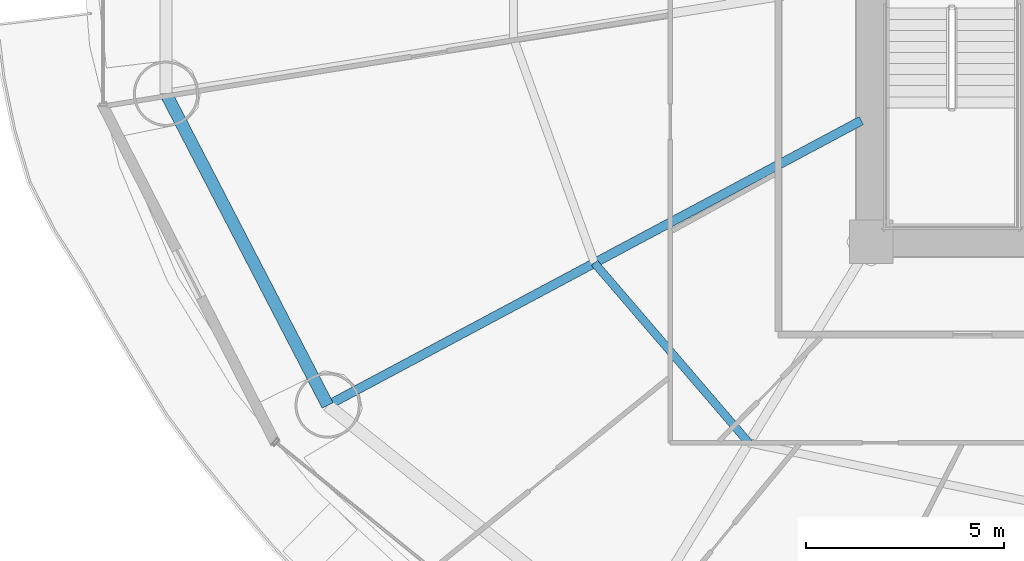
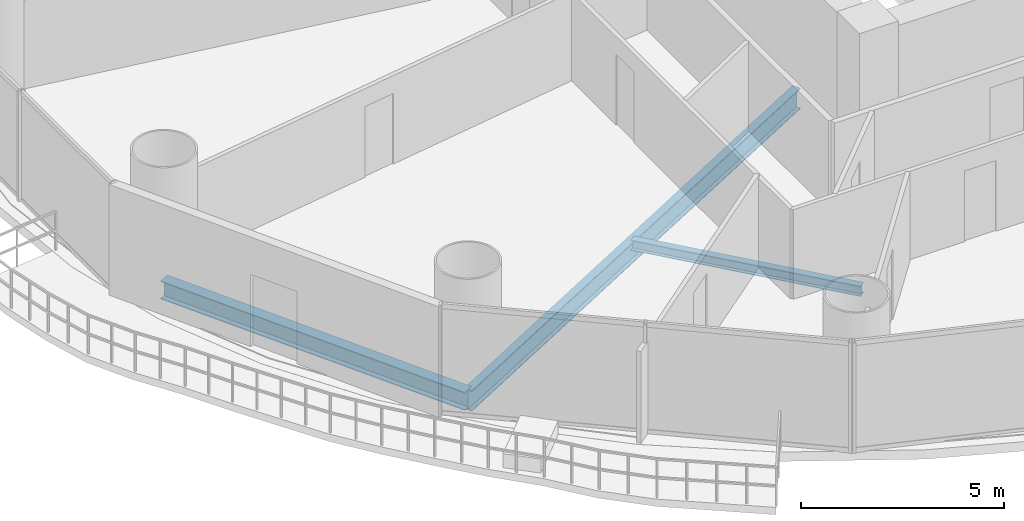
# One storey, part 3 of 30: 3 beams.
"""IFC4 building model written with IfcOpenShell, lengths in metres."""

from ifc_helpers import new_model, si_unit, direction, frame, origin, origin_2d, place, context, subcontext, project, spatial, i_section, extrude, material, material_profile, profile_set, type_object, element, save


model = new_model("IFC4")

# Units and contexts
model_context = context("Model", 3, precision=1e-05, world=origin(), true_north=direction((-0.2419218956, 0.970295726276)))
body_context = subcontext(model_context, "Body", "Model", "MODEL_VIEW")
ifc_project = project(units=[si_unit("LENGTHUNIT", "METRE"), si_unit("AREAUNIT", "SQUARE_METRE"), si_unit("VOLUMEUNIT", "CUBIC_METRE"), si_unit("PLANEANGLEUNIT", "RADIAN"), si_unit("MASSUNIT", "GRAM", prefix="KILO")], contexts=[model_context])

# Site, building, storey
site_placement = place(None, origin())
site = spatial("IfcSite", under=ifc_project, at=site_placement, CompositionType="ELEMENT")
building_placement = place(site_placement, origin())
building = spatial("IfcBuilding", under=site, at=building_placement, Name="Cobrevalo Terracotta Tower", CompositionType="ELEMENT")
storey_placement = place(building_placement, frame((0.0, 0.0, 27.60009765625)))
storey = spatial("IfcBuildingStorey", under=building, at=storey_placement, Name="L06", CompositionType="ELEMENT", Elevation=27.60009765625)

# Beams
ifc_material = material(Name="Steel S355", Category="steel")
ifc_material_profile_1 = material_profile(ifc_material, i_section(OverallWidth=0.22998046875, OverallDepth=0.616943359375, WebThickness=0.01318359375, FlangeThickness=0.022216796875, at=origin_2d()), Name="W 610x140")
ifc_profile_set_1 = profile_set([ifc_material_profile_1], Name="Steel S355")
beam_type_1 = type_object("IfcBeamType", Name="Structural Beam W 610x140 (Steel S355)", PredefinedType="BEAM", material=ifc_profile_set_1)
beam_1_placement = place(storey_placement, frame((15.25927734375, 14.660888671875, -0.588623046875), z_axis=(0.88218223571, 0.470908168329, 0.0), x_axis=(-0.470908168329, 0.88218223571, 0.0)))
element("IfcBeam", 1, at=beam_1_placement, inside=storey, type_object=beam_type_1, Name="L06 radial floor girder 10", PredefinedType="BEAM", context=body_context, shape_type="SweptSolid", body=[
    extrude(i_section(OverallWidth=0.22998046875, OverallDepth=0.616943359375, WebThickness=0.01318359375, FlangeThickness=0.022216796875, at=origin_2d()), origin(), (0.0, 0.0, 1.0), 15.286865234375),
])
ifc_material_profile_2 = material_profile(ifc_material, i_section(OverallWidth=0.2041015625, OverallDepth=0.305908203125, WebThickness=0.008544921875, FlangeThickness=0.0146484375, at=origin_2d()), Name="W 310x67")
ifc_profile_set_2 = profile_set([ifc_material_profile_2], Name="Steel S355")
beam_type_2 = type_object("IfcBeamType", Name="Structural Joist W 310x67 (Steel S355)", PredefinedType="JOIST", material=ifc_profile_set_2)
beam_2_placement = place(storey_placement, frame((22.002197265625, 18.26025390625, -0.43310546875), z_axis=(0.651328404454, -0.758795960421, 0.0), x_axis=(0.758795960421, 0.651328404454, 0.0)))
element("IfcBeam", 2, at=beam_2_placement, inside=storey, type_object=beam_type_2, Name="L06 circumferential secondary floor joist 10", PredefinedType="JOIST", context=body_context, shape_type="SweptSolid", body=[
    extrude(i_section(OverallWidth=0.2041015625, OverallDepth=0.305908203125, WebThickness=0.008544921875, FlangeThickness=0.0146484375, at=origin_2d()), origin(), (0.0, 0.0, 1.0), 5.98828125),
])
ifc_material_profile_3 = material_profile(ifc_material, i_section(OverallWidth=0.31201171875, OverallDepth=0.54296875, WebThickness=0.0126953125, FlangeThickness=0.020263671875, at=origin_2d()), Name="W 530x150")
ifc_profile_set_3 = profile_set([ifc_material_profile_3], Name="Steel S355")
beam_type_3 = type_object("IfcBeamType", Name="Structural Spandrel W 530x150 (Steel S355)", PredefinedType="SPANDREL", material=ifc_profile_set_3)
beam_3_placement = place(storey_placement, frame((11.175537109375, 22.537353515625, -0.551513671875), z_axis=(0.460285838799, -0.88777077368, 0.0), x_axis=(0.88777077368, 0.460285838799, 0.0)))
element("IfcBeam", 3, at=beam_3_placement, inside=storey, type_object=beam_type_3, Name="L06 perimeter ring spandrel 09", PredefinedType="SPANDREL", context=body_context, shape_type="SweptSolid", body=[
    extrude(i_section(OverallWidth=0.31201171875, OverallDepth=0.54296875, WebThickness=0.0126953125, FlangeThickness=0.020263671875, at=origin_2d()), origin(), (0.0, 0.0, 1.0), 8.8720703125),
])

save(model, "model.ifc")
